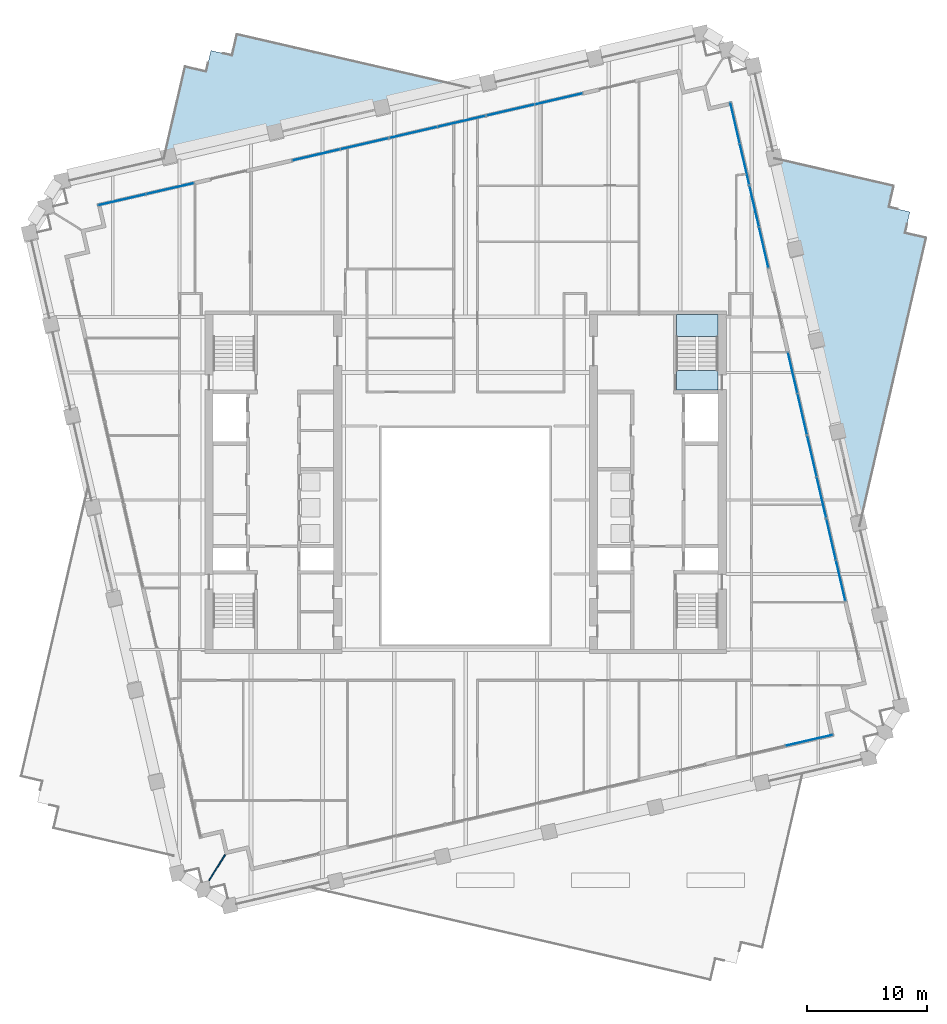
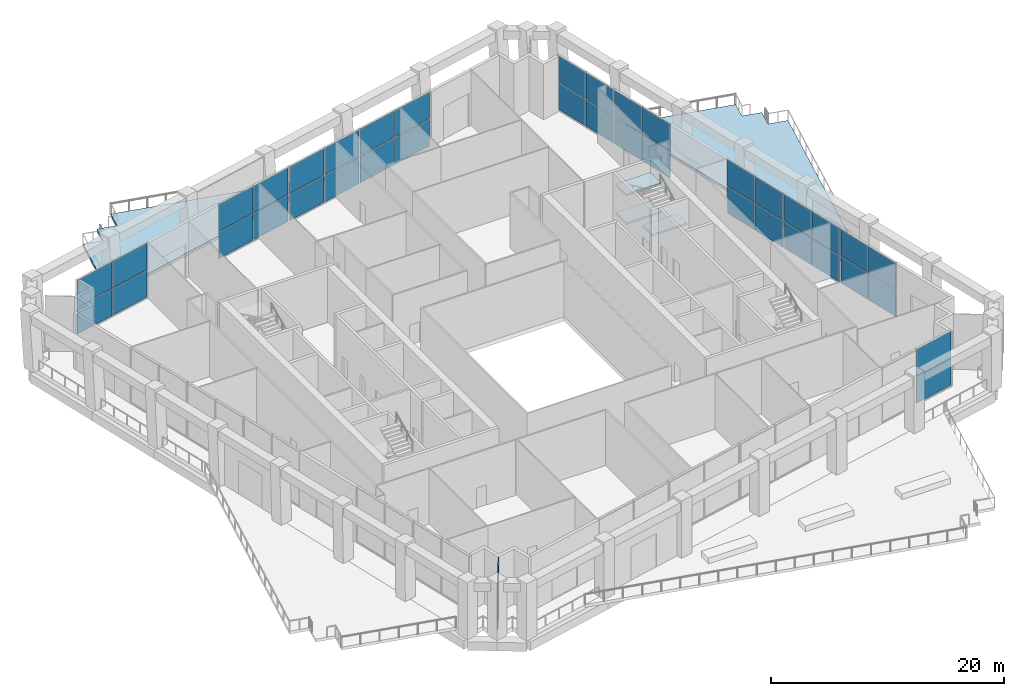
# One storey, part 11 of 24: 38 plates, 5 slabs, 1 wall, 11 elements without a shape of their own.
"""IFC4 building model written with IfcOpenShell, lengths in metres."""

from ifc_helpers import new_model, si_unit, direction, frame, frame_2d, origin, origin_2d, place, context, subcontext, project, spatial, polyline, rectangle, outline, extrude, material, layer, layer_set, type_object, element, aggregate, save


model = new_model("IFC4")

# Units and contexts
model_context = context("Model", 3, precision=1e-05, world=origin(), true_north=direction((0.0, 1.0)))
body_context = subcontext(model_context, "Body", "Model", "MODEL_VIEW")
ifc_project = project(units=[si_unit("LENGTHUNIT", "METRE"), si_unit("AREAUNIT", "SQUARE_METRE"), si_unit("VOLUMEUNIT", "CUBIC_METRE"), si_unit("PLANEANGLEUNIT", "RADIAN"), si_unit("MASSUNIT", "GRAM", prefix="KILO")], contexts=[model_context])

# Site, building, storey
site_placement = place(None, origin())
site = spatial("IfcSite", under=ifc_project, at=site_placement, CompositionType="ELEMENT")
building_placement = place(site_placement, origin())
building = spatial("IfcBuilding", under=site, at=building_placement, Name="Ogive Exchange Tower", CompositionType="ELEMENT")
storey_placement = place(building_placement, frame((0.0, 0.0, 165.60009765625)))
storey = spatial("IfcBuildingStorey", under=building, at=storey_placement, Name="L36", CompositionType="ELEMENT", Elevation=165.60009765625)

# Curtain wall, plates
ifc_material_1 = material(Name="Anodised aluminium and clear glass", Category="aluminium")
curtain_wall_type = type_object("IfcCurtainWallType", Name="Winter garden glazing", PredefinedType="NOTDEFINED", material=ifc_material_1)
curtain_wall_1_placement = place(storey_placement, origin())
curtain_wall_1 = element("IfcCurtainWall", 1, at=curtain_wall_1_placement, inside=storey, type_object=curtain_wall_type, Name="Winter garden glazing run G6", PredefinedType="NOTDEFINED")
ifc_material_2 = material(Name="Clear glass", Category="glass")
ifc_layer_1 = layer(ifc_material_2, 0.035888671875)
ifc_layer_set_1 = layer_set([ifc_layer_1], Name="Laminated clear glass panel 36")
plate_type = type_object("IfcPlateType", Name="Laminated clear glass panel 36", PredefinedType="CURTAIN_PANEL", material=ifc_layer_set_1)
plate_1_placement = place(storey_placement, frame((28.597900390625, -9.993408203125, 0.080078125), z_axis=(0.0, 0.0, 1.0), x_axis=(0.974370073289, 0.224951017509, 0.0)))
plate_1 = element("IfcPlate", 2, at=plate_1_placement, type_object=plate_type, Name="G6 panel 2.1", PredefinedType="CURTAIN_PANEL", context=body_context, shape_type="SweptSolid", body=[
    extrude(rectangle(XDim=4.030029296875, YDim=0.035888671875, at=origin_2d()), origin(), (0.0, 0.0, 1.0), 2.780029296875),
])
plate_2_placement = place(storey_placement, frame((28.597900390625, -9.993408203125, 2.93994140625), z_axis=(0.0, 0.0, 1.0), x_axis=(0.974370073289, 0.224951017509, 0.0)))
plate_2 = element("IfcPlate", 3, at=plate_2_placement, type_object=plate_type, Name="G6 panel 2.2", PredefinedType="CURTAIN_PANEL", context=body_context, shape_type="SweptSolid", body=[
    extrude(rectangle(XDim=4.030029296875, YDim=0.035888671875, at=origin_2d()), origin(), (0.0, 0.0, 1.0), 2.780029296875),
])
aggregate(curtain_wall_1, [plate_1, plate_2])

curtain_wall_2_placement = place(storey_placement, origin())
curtain_wall_2 = element("IfcCurtainWall", 4, at=curtain_wall_2_placement, inside=storey, type_object=curtain_wall_type, Name="Winter garden glazing run G8", PredefinedType="NOTDEFINED")
plate_3_placement = place(storey_placement, frame((31.2197265625, 3.300048828125, 0.080078125), z_axis=(0.0, 0.0, 1.0), x_axis=(-0.224957031035, 0.974368684938, 0.0)))
plate_3 = element("IfcPlate", 5, at=plate_3_placement, type_object=plate_type, Name="G8 panel 1.1", PredefinedType="CURTAIN_PANEL", context=body_context, shape_type="SweptSolid", body=[
    extrude(rectangle(XDim=3.43701171875, YDim=0.035888671875, at=origin_2d()), origin(), (0.0, 0.0, 1.0), 2.780029296875),
])
plate_4_placement = place(storey_placement, frame((31.2197265625, 3.300048828125, 2.93994140625), z_axis=(0.0, 0.0, 1.0), x_axis=(-0.224957031035, 0.974368684938, 0.0)))
plate_4 = element("IfcPlate", 6, at=plate_4_placement, type_object=plate_type, Name="G8 panel 1.2", PredefinedType="CURTAIN_PANEL", context=body_context, shape_type="SweptSolid", body=[
    extrude(rectangle(XDim=3.43701171875, YDim=0.035888671875, at=origin_2d()), origin(), (0.0, 0.0, 1.0), 2.780029296875),
])
plate_5_placement = place(storey_placement, frame((30.428466796875, 6.72705078125, 0.080078125), z_axis=(0.0, 0.0, 1.0), x_axis=(-0.224957031035, 0.974368684938, 0.0)))
plate_5 = element("IfcPlate", 7, at=plate_5_placement, type_object=plate_type, Name="G8 panel 2.1", PredefinedType="CURTAIN_PANEL", context=body_context, shape_type="SweptSolid", body=[
    extrude(rectangle(XDim=3.43701171875, YDim=0.035888671875, at=origin_2d()), origin(), (0.0, 0.0, 1.0), 2.780029296875),
])
plate_6_placement = place(storey_placement, frame((30.428466796875, 6.72705078125, 2.93994140625), z_axis=(0.0, 0.0, 1.0), x_axis=(-0.224957031035, 0.974368684938, 0.0)))
plate_6 = element("IfcPlate", 8, at=plate_6_placement, type_object=plate_type, Name="G8 panel 2.2", PredefinedType="CURTAIN_PANEL", context=body_context, shape_type="SweptSolid", body=[
    extrude(rectangle(XDim=3.43701171875, YDim=0.035888671875, at=origin_2d()), origin(), (0.0, 0.0, 1.0), 2.780029296875),
])
aggregate(curtain_wall_2, [plate_3, plate_4, plate_5, plate_6])

curtain_wall_3_placement = place(storey_placement, origin())
curtain_wall_3 = element("IfcCurtainWall", 9, at=curtain_wall_3_placement, inside=storey, type_object=curtain_wall_type, Name="Winter garden glazing run G9", PredefinedType="NOTDEFINED")
plate_7_placement = place(storey_placement, frame((29.619384765625, 10.23193359375, 0.080078125), z_axis=(0.0, 0.0, 1.0), x_axis=(-0.224940605185, 0.974372477105, 0.0)))
plate_7 = element("IfcPlate", 10, at=plate_7_placement, type_object=plate_type, Name="G9 panel 1.1", PredefinedType="CURTAIN_PANEL", context=body_context, shape_type="SweptSolid", body=[
    extrude(rectangle(XDim=3.437255859375, YDim=0.035888671875, at=origin_2d()), origin(), (0.0, 0.0, 1.0), 2.780029296875),
])
plate_8_placement = place(storey_placement, frame((29.619384765625, 10.23193359375, 2.93994140625), z_axis=(0.0, 0.0, 1.0), x_axis=(-0.224940605185, 0.974372477105, 0.0)))
plate_8 = element("IfcPlate", 11, at=plate_8_placement, type_object=plate_type, Name="G9 panel 1.2", PredefinedType="CURTAIN_PANEL", context=body_context, shape_type="SweptSolid", body=[
    extrude(rectangle(XDim=3.437255859375, YDim=0.035888671875, at=origin_2d()), origin(), (0.0, 0.0, 1.0), 2.780029296875),
])
plate_9_placement = place(storey_placement, frame((28.828125, 13.658935546875, 0.080078125), z_axis=(0.0, 0.0, 1.0), x_axis=(-0.224940605185, 0.974372477105, 0.0)))
plate_9 = element("IfcPlate", 12, at=plate_9_placement, type_object=plate_type, Name="G9 panel 2.1", PredefinedType="CURTAIN_PANEL", context=body_context, shape_type="SweptSolid", body=[
    extrude(rectangle(XDim=3.437255859375, YDim=0.035888671875, at=origin_2d()), origin(), (0.0, 0.0, 1.0), 2.780029296875),
])
plate_10_placement = place(storey_placement, frame((28.828125, 13.658935546875, 2.93994140625), z_axis=(0.0, 0.0, 1.0), x_axis=(-0.224940605185, 0.974372477105, 0.0)))
plate_10 = element("IfcPlate", 13, at=plate_10_placement, type_object=plate_type, Name="G9 panel 2.2", PredefinedType="CURTAIN_PANEL", context=body_context, shape_type="SweptSolid", body=[
    extrude(rectangle(XDim=3.437255859375, YDim=0.035888671875, at=origin_2d()), origin(), (0.0, 0.0, 1.0), 2.780029296875),
])
aggregate(curtain_wall_3, [plate_7, plate_8, plate_9, plate_10])

curtain_wall_4_placement = place(storey_placement, origin())
curtain_wall_4 = element("IfcCurtainWall", 14, at=curtain_wall_4_placement, inside=storey, type_object=curtain_wall_type, Name="Winter garden glazing run G10", PredefinedType="NOTDEFINED")
plate_11_placement = place(storey_placement, frame((28.01904296875, 17.163818359375, 0.080078125), z_axis=(0.0, 0.0, 1.0), x_axis=(-0.224957031035, 0.974368684938, 0.0)))
plate_11 = element("IfcPlate", 15, at=plate_11_placement, type_object=plate_type, Name="G10 panel 1.1", PredefinedType="CURTAIN_PANEL", context=body_context, shape_type="SweptSolid", body=[
    extrude(rectangle(XDim=3.43701171875, YDim=0.035888671875, at=origin_2d()), origin(), (0.0, 0.0, 1.0), 2.780029296875),
])
plate_12_placement = place(storey_placement, frame((28.01904296875, 17.163818359375, 2.93994140625), z_axis=(0.0, 0.0, 1.0), x_axis=(-0.224957031035, 0.974368684938, 0.0)))
plate_12 = element("IfcPlate", 16, at=plate_12_placement, type_object=plate_type, Name="G10 panel 1.2", PredefinedType="CURTAIN_PANEL", context=body_context, shape_type="SweptSolid", body=[
    extrude(rectangle(XDim=3.43701171875, YDim=0.035888671875, at=origin_2d()), origin(), (0.0, 0.0, 1.0), 2.780029296875),
])
plate_13_placement = place(storey_placement, frame((27.227783203125, 20.5908203125, 0.080078125), z_axis=(0.0, 0.0, 1.0), x_axis=(-0.224957031035, 0.974368684938, 0.0)))
plate_13 = element("IfcPlate", 17, at=plate_13_placement, type_object=plate_type, Name="G10 panel 2.1", PredefinedType="CURTAIN_PANEL", context=body_context, shape_type="SweptSolid", body=[
    extrude(rectangle(XDim=3.43701171875, YDim=0.035888671875, at=origin_2d()), origin(), (0.0, 0.0, 1.0), 2.780029296875),
])
plate_14_placement = place(storey_placement, frame((27.227783203125, 20.5908203125, 2.93994140625), z_axis=(0.0, 0.0, 1.0), x_axis=(-0.224957031035, 0.974368684938, 0.0)))
plate_14 = element("IfcPlate", 18, at=plate_14_placement, type_object=plate_type, Name="G10 panel 2.2", PredefinedType="CURTAIN_PANEL", context=body_context, shape_type="SweptSolid", body=[
    extrude(rectangle(XDim=3.43701171875, YDim=0.035888671875, at=origin_2d()), origin(), (0.0, 0.0, 1.0), 2.780029296875),
])
aggregate(curtain_wall_4, [plate_11, plate_12, plate_13, plate_14])

curtain_wall_5_placement = place(storey_placement, origin())
curtain_wall_5 = element("IfcCurtainWall", 19, at=curtain_wall_5_placement, inside=storey, type_object=curtain_wall_type, Name="Winter garden glazing run G12", PredefinedType="NOTDEFINED")
plate_15_placement = place(storey_placement, frame((24.818115234375, 31.02783203125, 0.080078125), z_axis=(0.0, 0.0, 1.0), x_axis=(-0.224943685993, 0.974371765874, 0.0)))
plate_15 = element("IfcPlate", 20, at=plate_15_placement, type_object=plate_type, Name="G12 panel 1.1", PredefinedType="CURTAIN_PANEL", context=body_context, shape_type="SweptSolid", body=[
    extrude(rectangle(XDim=3.43701171875, YDim=0.035888671875, at=origin_2d()), origin(), (0.0, 0.0, 1.0), 2.780029296875),
])
plate_16_placement = place(storey_placement, frame((24.818115234375, 31.02783203125, 2.93994140625), z_axis=(0.0, 0.0, 1.0), x_axis=(-0.224943685993, 0.974371765874, 0.0)))
plate_16 = element("IfcPlate", 21, at=plate_16_placement, type_object=plate_type, Name="G12 panel 1.2", PredefinedType="CURTAIN_PANEL", context=body_context, shape_type="SweptSolid", body=[
    extrude(rectangle(XDim=3.43701171875, YDim=0.035888671875, at=origin_2d()), origin(), (0.0, 0.0, 1.0), 2.780029296875),
])
plate_17_placement = place(storey_placement, frame((24.027099609375, 34.454833984375, 0.080078125), z_axis=(0.0, 0.0, 1.0), x_axis=(-0.224943685993, 0.974371765874, 0.0)))
plate_17 = element("IfcPlate", 22, at=plate_17_placement, type_object=plate_type, Name="G12 panel 2.1", PredefinedType="CURTAIN_PANEL", context=body_context, shape_type="SweptSolid", body=[
    extrude(rectangle(XDim=3.43701171875, YDim=0.035888671875, at=origin_2d()), origin(), (0.0, 0.0, 1.0), 2.780029296875),
])
plate_18_placement = place(storey_placement, frame((24.027099609375, 34.454833984375, 2.93994140625), z_axis=(0.0, 0.0, 1.0), x_axis=(-0.224943685993, 0.974371765874, 0.0)))
plate_18 = element("IfcPlate", 23, at=plate_18_placement, type_object=plate_type, Name="G12 panel 2.2", PredefinedType="CURTAIN_PANEL", context=body_context, shape_type="SweptSolid", body=[
    extrude(rectangle(XDim=3.43701171875, YDim=0.035888671875, at=origin_2d()), origin(), (0.0, 0.0, 1.0), 2.780029296875),
])
aggregate(curtain_wall_5, [plate_15, plate_16, plate_17, plate_18])

curtain_wall_6_placement = place(storey_placement, origin())
curtain_wall_6 = element("IfcCurtainWall", 24, at=curtain_wall_6_placement, inside=storey, type_object=curtain_wall_type, Name="Winter garden glazing run G13", PredefinedType="NOTDEFINED")
plate_19_placement = place(storey_placement, frame((23.218017578125, 37.959716796875, 0.080078125), z_axis=(0.0, 0.0, 1.0), x_axis=(-0.224953950051, 0.974369396254, 0.0)))
plate_19 = element("IfcPlate", 25, at=plate_19_placement, type_object=plate_type, Name="G13 panel 1.1", PredefinedType="CURTAIN_PANEL", context=body_context, shape_type="SweptSolid", body=[
    extrude(rectangle(XDim=3.437255859375, YDim=0.035888671875, at=origin_2d()), origin(), (0.0, 0.0, 1.0), 2.780029296875),
])
plate_20_placement = place(storey_placement, frame((23.218017578125, 37.959716796875, 2.93994140625), z_axis=(0.0, 0.0, 1.0), x_axis=(-0.224953950051, 0.974369396254, 0.0)))
plate_20 = element("IfcPlate", 26, at=plate_20_placement, type_object=plate_type, Name="G13 panel 1.2", PredefinedType="CURTAIN_PANEL", context=body_context, shape_type="SweptSolid", body=[
    extrude(rectangle(XDim=3.437255859375, YDim=0.035888671875, at=origin_2d()), origin(), (0.0, 0.0, 1.0), 2.780029296875),
])
plate_21_placement = place(storey_placement, frame((22.4267578125, 41.38671875, 0.080078125), z_axis=(0.0, 0.0, 1.0), x_axis=(-0.224953950051, 0.974369396254, 0.0)))
plate_21 = element("IfcPlate", 27, at=plate_21_placement, type_object=plate_type, Name="G13 panel 2.1", PredefinedType="CURTAIN_PANEL", context=body_context, shape_type="SweptSolid", body=[
    extrude(rectangle(XDim=3.437255859375, YDim=0.035888671875, at=origin_2d()), origin(), (0.0, 0.0, 1.0), 2.780029296875),
])
plate_22_placement = place(storey_placement, frame((22.4267578125, 41.38671875, 2.93994140625), z_axis=(0.0, 0.0, 1.0), x_axis=(-0.224953950051, 0.974369396254, 0.0)))
plate_22 = element("IfcPlate", 28, at=plate_22_placement, type_object=plate_type, Name="G13 panel 2.2", PredefinedType="CURTAIN_PANEL", context=body_context, shape_type="SweptSolid", body=[
    extrude(rectangle(XDim=3.437255859375, YDim=0.035888671875, at=origin_2d()), origin(), (0.0, 0.0, 1.0), 2.780029296875),
])
aggregate(curtain_wall_6, [plate_19, plate_20, plate_21, plate_22])

curtain_wall_7_placement = place(storey_placement, origin())
curtain_wall_7 = element("IfcCurtainWall", 29, at=curtain_wall_7_placement, inside=storey, type_object=curtain_wall_type, Name="Winter garden glazing run G15", PredefinedType="NOTDEFINED")
plate_23_placement = place(storey_placement, frame((7.755859375, 43.38623046875, 0.080078125), z_axis=(0.0, 0.0, 1.0), x_axis=(-0.974370073289, -0.224951017509, 0.0)))
plate_23 = element("IfcPlate", 30, at=plate_23_placement, type_object=plate_type, Name="G15 panel 1.1", PredefinedType="CURTAIN_PANEL", context=body_context, shape_type="SweptSolid", body=[
    extrude(rectangle(XDim=4.030029296875, YDim=0.035888671875, at=origin_2d()), origin(), (0.0, 0.0, 1.0), 2.780029296875),
])
plate_24_placement = place(storey_placement, frame((7.755859375, 43.38623046875, 2.93994140625), z_axis=(0.0, 0.0, 1.0), x_axis=(-0.974370073289, -0.224951017509, 0.0)))
plate_24 = element("IfcPlate", 31, at=plate_24_placement, type_object=plate_type, Name="G15 panel 1.2", PredefinedType="CURTAIN_PANEL", context=body_context, shape_type="SweptSolid", body=[
    extrude(rectangle(XDim=4.030029296875, YDim=0.035888671875, at=origin_2d()), origin(), (0.0, 0.0, 1.0), 2.780029296875),
])
plate_25_placement = place(storey_placement, frame((3.751220703125, 42.461669921875, 0.080078125), z_axis=(0.0, 0.0, 1.0), x_axis=(-0.974370073289, -0.224951017509, 0.0)))
plate_25 = element("IfcPlate", 32, at=plate_25_placement, type_object=plate_type, Name="G15 panel 2.1", PredefinedType="CURTAIN_PANEL", context=body_context, shape_type="SweptSolid", body=[
    extrude(rectangle(XDim=4.030029296875, YDim=0.035888671875, at=origin_2d()), origin(), (0.0, 0.0, 1.0), 2.780029296875),
])
plate_26_placement = place(storey_placement, frame((3.751220703125, 42.461669921875, 2.93994140625), z_axis=(0.0, 0.0, 1.0), x_axis=(-0.974370073289, -0.224951017509, 0.0)))
plate_26 = element("IfcPlate", 33, at=plate_26_placement, type_object=plate_type, Name="G15 panel 2.2", PredefinedType="CURTAIN_PANEL", context=body_context, shape_type="SweptSolid", body=[
    extrude(rectangle(XDim=4.030029296875, YDim=0.035888671875, at=origin_2d()), origin(), (0.0, 0.0, 1.0), 2.780029296875),
])
aggregate(curtain_wall_7, [plate_23, plate_24, plate_25, plate_26])

curtain_wall_8_placement = place(storey_placement, origin())
curtain_wall_8 = element("IfcCurtainWall", 34, at=curtain_wall_8_placement, inside=storey, type_object=curtain_wall_type, Name="Winter garden glazing run G16", PredefinedType="NOTDEFINED")
plate_27_placement = place(storey_placement, frame((-0.331298828125, 41.519287109375, 0.080078125), z_axis=(0.0, 0.0, 1.0), x_axis=(-0.974370073289, -0.224951017509, 0.0)))
plate_27 = element("IfcPlate", 35, at=plate_27_placement, type_object=plate_type, Name="G16 panel 1.1", PredefinedType="CURTAIN_PANEL", context=body_context, shape_type="SweptSolid", body=[
    extrude(rectangle(XDim=4.030029296875, YDim=0.035888671875, at=origin_2d()), origin(), (0.0, 0.0, 1.0), 2.780029296875),
])
plate_28_placement = place(storey_placement, frame((-0.331298828125, 41.519287109375, 2.93994140625), z_axis=(0.0, 0.0, 1.0), x_axis=(-0.974370073289, -0.224951017509, 0.0)))
plate_28 = element("IfcPlate", 36, at=plate_28_placement, type_object=plate_type, Name="G16 panel 1.2", PredefinedType="CURTAIN_PANEL", context=body_context, shape_type="SweptSolid", body=[
    extrude(rectangle(XDim=4.030029296875, YDim=0.035888671875, at=origin_2d()), origin(), (0.0, 0.0, 1.0), 2.780029296875),
])
plate_29_placement = place(storey_placement, frame((-4.336181640625, 40.5947265625, 0.080078125), z_axis=(0.0, 0.0, 1.0), x_axis=(-0.974370073289, -0.224951017509, 0.0)))
plate_29 = element("IfcPlate", 37, at=plate_29_placement, type_object=plate_type, Name="G16 panel 2.1", PredefinedType="CURTAIN_PANEL", context=body_context, shape_type="SweptSolid", body=[
    extrude(rectangle(XDim=4.030029296875, YDim=0.035888671875, at=origin_2d()), origin(), (0.0, 0.0, 1.0), 2.780029296875),
])
plate_30_placement = place(storey_placement, frame((-4.336181640625, 40.5947265625, 2.93994140625), z_axis=(0.0, 0.0, 1.0), x_axis=(-0.974370073289, -0.224951017509, 0.0)))
plate_30 = element("IfcPlate", 38, at=plate_30_placement, type_object=plate_type, Name="G16 panel 2.2", PredefinedType="CURTAIN_PANEL", context=body_context, shape_type="SweptSolid", body=[
    extrude(rectangle(XDim=4.030029296875, YDim=0.035888671875, at=origin_2d()), origin(), (0.0, 0.0, 1.0), 2.780029296875),
])
aggregate(curtain_wall_8, [plate_27, plate_28, plate_29, plate_30])

curtain_wall_9_placement = place(storey_placement, origin())
curtain_wall_9 = element("IfcCurtainWall", 39, at=curtain_wall_9_placement, inside=storey, type_object=curtain_wall_type, Name="Winter garden glazing run G17", PredefinedType="NOTDEFINED")
plate_31_placement = place(storey_placement, frame((-8.418701171875, 39.652099609375, 0.080078125), z_axis=(0.0, 0.0, 1.0), x_axis=(-0.974369463608, -0.224953658314, 0.0)))
plate_31 = element("IfcPlate", 40, at=plate_31_placement, type_object=plate_type, Name="G17 panel 1.1", PredefinedType="CURTAIN_PANEL", context=body_context, shape_type="SweptSolid", body=[
    extrude(rectangle(XDim=4.030029296875, YDim=0.035888671875, at=origin_2d()), origin(), (0.0, 0.0, 1.0), 2.780029296875),
])
plate_32_placement = place(storey_placement, frame((-8.418701171875, 39.652099609375, 2.93994140625), z_axis=(0.0, 0.0, 1.0), x_axis=(-0.974369463608, -0.224953658314, 0.0)))
plate_32 = element("IfcPlate", 41, at=plate_32_placement, type_object=plate_type, Name="G17 panel 1.2", PredefinedType="CURTAIN_PANEL", context=body_context, shape_type="SweptSolid", body=[
    extrude(rectangle(XDim=4.030029296875, YDim=0.035888671875, at=origin_2d()), origin(), (0.0, 0.0, 1.0), 2.780029296875),
])
plate_33_placement = place(storey_placement, frame((-12.42333984375, 38.7275390625, 0.080078125), z_axis=(0.0, 0.0, 1.0), x_axis=(-0.974369463608, -0.224953658314, 0.0)))
plate_33 = element("IfcPlate", 42, at=plate_33_placement, type_object=plate_type, Name="G17 panel 2.1", PredefinedType="CURTAIN_PANEL", context=body_context, shape_type="SweptSolid", body=[
    extrude(rectangle(XDim=4.030029296875, YDim=0.035888671875, at=origin_2d()), origin(), (0.0, 0.0, 1.0), 2.780029296875),
])
plate_34_placement = place(storey_placement, frame((-12.42333984375, 38.7275390625, 2.93994140625), z_axis=(0.0, 0.0, 1.0), x_axis=(-0.974369463608, -0.224953658314, 0.0)))
plate_34 = element("IfcPlate", 43, at=plate_34_placement, type_object=plate_type, Name="G17 panel 2.2", PredefinedType="CURTAIN_PANEL", context=body_context, shape_type="SweptSolid", body=[
    extrude(rectangle(XDim=4.030029296875, YDim=0.035888671875, at=origin_2d()), origin(), (0.0, 0.0, 1.0), 2.780029296875),
])
aggregate(curtain_wall_9, [plate_31, plate_32, plate_33, plate_34])

curtain_wall_10_placement = place(storey_placement, origin())
curtain_wall_10 = element("IfcCurtainWall", 44, at=curtain_wall_10_placement, inside=storey, type_object=curtain_wall_type, Name="Winter garden glazing run G19", PredefinedType="NOTDEFINED")
plate_35_placement = place(storey_placement, frame((-24.59326171875, 35.91796875, 0.080078125), z_axis=(0.0, 0.0, 1.0), x_axis=(-0.974370073289, -0.224951017509, 0.0)))
plate_35 = element("IfcPlate", 45, at=plate_35_placement, type_object=plate_type, Name="G19 panel 1.1", PredefinedType="CURTAIN_PANEL", context=body_context, shape_type="SweptSolid", body=[
    extrude(rectangle(XDim=4.030029296875, YDim=0.035888671875, at=origin_2d()), origin(), (0.0, 0.0, 1.0), 2.780029296875),
])
plate_36_placement = place(storey_placement, frame((-24.59326171875, 35.91796875, 2.93994140625), z_axis=(0.0, 0.0, 1.0), x_axis=(-0.974370073289, -0.224951017509, 0.0)))
plate_36 = element("IfcPlate", 46, at=plate_36_placement, type_object=plate_type, Name="G19 panel 1.2", PredefinedType="CURTAIN_PANEL", context=body_context, shape_type="SweptSolid", body=[
    extrude(rectangle(XDim=4.030029296875, YDim=0.035888671875, at=origin_2d()), origin(), (0.0, 0.0, 1.0), 2.780029296875),
])
plate_37_placement = place(storey_placement, frame((-28.597900390625, 34.993408203125, 0.080078125), z_axis=(0.0, 0.0, 1.0), x_axis=(-0.974370073289, -0.224951017509, 0.0)))
plate_37 = element("IfcPlate", 47, at=plate_37_placement, type_object=plate_type, Name="G19 panel 2.1", PredefinedType="CURTAIN_PANEL", context=body_context, shape_type="SweptSolid", body=[
    extrude(rectangle(XDim=4.030029296875, YDim=0.035888671875, at=origin_2d()), origin(), (0.0, 0.0, 1.0), 2.780029296875),
])
plate_38_placement = place(storey_placement, frame((-28.597900390625, 34.993408203125, 2.93994140625), z_axis=(0.0, 0.0, 1.0), x_axis=(-0.974370073289, -0.224951017509, 0.0)))
plate_38 = element("IfcPlate", 48, at=plate_38_placement, type_object=plate_type, Name="G19 panel 2.2", PredefinedType="CURTAIN_PANEL", context=body_context, shape_type="SweptSolid", body=[
    extrude(rectangle(XDim=4.030029296875, YDim=0.035888671875, at=origin_2d()), origin(), (0.0, 0.0, 1.0), 2.780029296875),
])
aggregate(curtain_wall_10, [plate_35, plate_36, plate_37, plate_38])

# Stair, slabs
ifc_material_3 = material(Name="Concrete C40/50", Category="concrete")
stair_type = type_object("IfcStairType", Name="Exit stair 1650 wide", PredefinedType="HALF_TURN_STAIR", material=ifc_material_3)
stair_placement = place(storey_placement, origin())
stair = element("IfcStair", 49, at=stair_placement, inside=storey, type_object=stair_type, Name="L36 exit stair ST4", PredefinedType="HALF_TURN_STAIR")
ifc_layer_2 = layer(ifc_material_3, 0.199951171875)
ifc_layer_set_2 = layer_set([ifc_layer_2], Name="Stair landing 200 slab")
slab_type_1 = type_object("IfcSlabType", Name="Stair landing 200 slab", PredefinedType="LANDING", material=ifc_layer_set_2)
slab_1_placement = place(storey_placement, frame((0.0, 0.0, 1.2998046875)))
slab_1 = element("IfcSlab", 50, at=slab_1_placement, type_object=slab_type_1, Name="ST4 landing 1", PredefinedType="LANDING", context=body_context, shape_type="SweptSolid", body=[
    extrude(outline(polyline([(21.0, 23.60791015625), (21.0, 25.449951171875), (17.550048828125, 25.449951171875), (17.550048828125, 23.60791015625), (21.0, 23.60791015625)])), origin(), (0.0, 0.0, 1.0), 0.2001953125),
])
slab_2_placement = place(storey_placement, frame((0.0, 0.0, 2.7998046875)))
slab_2 = element("IfcSlab", 51, at=slab_2_placement, type_object=slab_type_1, Name="ST4 landing 2", PredefinedType="LANDING", context=body_context, shape_type="SweptSolid", body=[
    extrude(outline(polyline([(21.0, 19.14990234375), (21.0, 20.800048828125), (17.550048828125, 20.800048828125), (17.550048828125, 19.14990234375), (21.0, 19.14990234375)])), origin(), (0.0, 0.0, 1.0), 0.2001953125),
])
slab_3_placement = place(storey_placement, frame((0.0, 0.0, 4.2998046875)))
slab_3 = element("IfcSlab", 52, at=slab_3_placement, type_object=slab_type_1, Name="ST4 landing 3", PredefinedType="LANDING", context=body_context, shape_type="SweptSolid", body=[
    extrude(outline(polyline([(21.0, 23.60791015625), (21.0, 25.449951171875), (17.550048828125, 25.449951171875), (17.550048828125, 23.60791015625), (21.0, 23.60791015625)])), origin(), (0.0, 0.0, 1.0), 0.2001953125),
])
aggregate(stair, [slab_1, slab_2, slab_3])

# Slabs
ifc_material_4 = material(Name="Concrete C50/60", Category="concrete")
ifc_layer_3 = layer(ifc_material_4, 0.300048828125)
ifc_layer_set_3 = layer_set([ifc_layer_3], Name="Terrace deck 300")
slab_type_2 = type_object("IfcSlabType", Name="Terrace deck 300", PredefinedType="FLOOR", material=ifc_layer_set_3)
slab_4_placement = place(storey_placement, frame((0.0, 0.0, -0.300048828125)))
element("IfcSlab", 53, at=slab_4_placement, inside=storey, type_object=slab_type_2, Name="Terrace deck", PredefinedType="FLOOR", context=body_context, shape_type="SweptSolid", body=[
    extrude(outline(polyline([(35.226806640625, 34.390380859375), (36.980712890625, 33.985595703125), (36.57568359375, 32.231689453125), (38.32958984375, 31.826904296875), (32.790283203125, 7.8330078125), (28.194091796875, 27.740478515625), (25.72607421875, 38.431396484375), (35.6318359375, 36.144287109375), (35.226806640625, 34.390380859375)])), origin(), (0.0, 0.0, 1.0), 0.300048828125),
])
slab_5_placement = place(storey_placement, frame((0.0, 0.0, -0.300048828125)))
element("IfcSlab", 54, at=slab_5_placement, inside=storey, type_object=slab_type_2, Name="Terrace deck", PredefinedType="FLOOR", context=body_context, shape_type="SweptSolid", body=[
    extrude(outline(polyline([(-21.593994140625, 45.661376953125), (-21.189208984375, 47.415283203125), (-19.435302734375, 47.01025390625), (-19.030517578125, 48.76416015625), (0.341796875, 44.291748046875), (-25.114501953125, 38.414794921875), (-23.347900390625, 46.066162109375), (-21.593994140625, 45.661376953125)])), origin(), (0.0, 0.0, 1.0), 0.300048828125),
])

# Wall
ifc_material_5 = material(Name="Laminated safety glass in steel frame", Category="steel")
ifc_layer_4 = layer(ifc_material_5, 0.10009765625)
ifc_layer_set_4 = layer_set([ifc_layer_4], Name="Loggia end screen 100")
wall_type = type_object("IfcWallType", Name="Loggia end screen 100", PredefinedType="STANDARD", material=ifc_layer_set_4)
wall_placement = place(storey_placement, frame((-20.009521484375, -19.52197265625, 0.0), z_axis=(0.0, 0.0, 1.0), x_axis=(-0.529920736377, -0.848047176257, 0.0)))
element("IfcWall", 55, at=wall_placement, inside=storey, type_object=wall_type, Name="Loggia end screen C4", PredefinedType="STANDARD", context=body_context, shape_type="SweptSolid", body=[
    extrude(rectangle(XDim=2.525634765625, YDim=0.10009765625, at=frame_2d((1.2626953125, 0.0))), origin(), (0.0, 0.0, 1.0), 5.7998046875),
])

save(model, "model.ifc")
